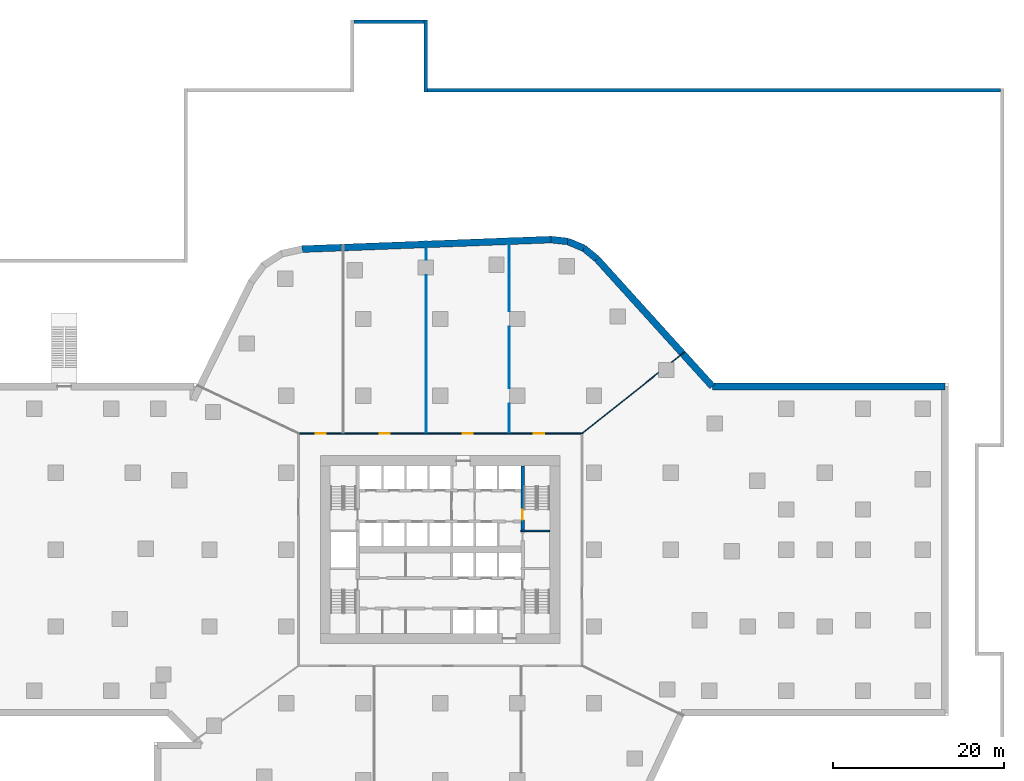
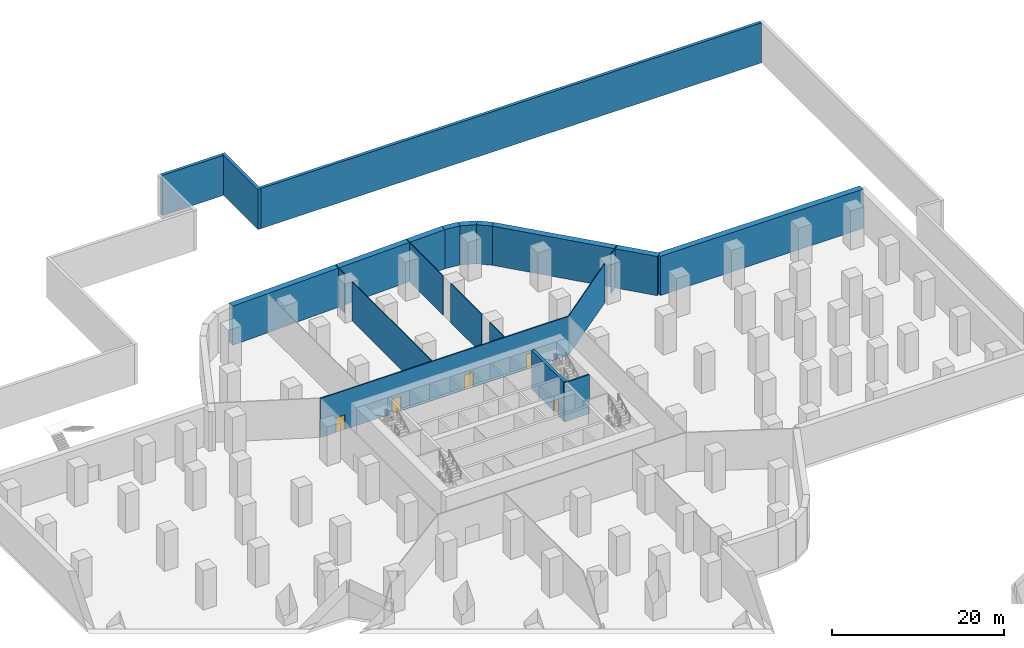
# One storey, part 8 of 11: 19 walls, 5 doors, 5 openings.
"""IFC4 building model written with IfcOpenShell, lengths in metres."""

from ifc_helpers import new_model, si_unit, direction, frame, frame_2d, origin, place, context, subcontext, project, spatial, polyline, rectangle, outline, extrude, material, layer, layer_set, type_object, element, fill, save


model = new_model("IFC4")

# Units and contexts
model_context = context("Model", 3, precision=1e-05, world=origin(), true_north=direction((0.0, 1.0)))
body_context = subcontext(model_context, "Body", "Model", "MODEL_VIEW")
ifc_project = project(units=[si_unit("LENGTHUNIT", "METRE"), si_unit("AREAUNIT", "SQUARE_METRE"), si_unit("VOLUMEUNIT", "CUBIC_METRE"), si_unit("PLANEANGLEUNIT", "RADIAN"), si_unit("MASSUNIT", "GRAM", prefix="KILO")], contexts=[model_context])

# Site, building, storey
site_placement = place(None, origin())
site = spatial("IfcSite", under=ifc_project, at=site_placement, CompositionType="ELEMENT")
building_placement = place(site_placement, origin())
building = spatial("IfcBuilding", under=site, at=building_placement, Name="Dongbaek Canopy Tower", CompositionType="ELEMENT")
storey_placement = place(building_placement, frame((0.0, 0.0, -6.0)))
storey = spatial("IfcBuildingStorey", under=building, at=storey_placement, Name="B1", CompositionType="ELEMENT", Elevation=-6.0)

# Wall, openings, doors
ifc_material_1 = material(Name="Gypsum board partition, steel stud, 2 x 15 mm fire board", Category="steel")
ifc_layer_1 = layer(ifc_material_1, 0.14990234375)
ifc_layer_set_1 = layer_set([ifc_layer_1], Name="Fire-rated partition 150 gypsum board")
wall_type_1 = type_object("IfcWallType", Name="Fire-rated partition 150 gypsum board", PredefinedType="PARTITIONING", material=ifc_layer_set_1)
wall_1_placement = place(storey_placement, frame((-16.675048828125, 13.60009765625, 0.0), z_axis=(0.0, 0.0, 1.0), x_axis=(1.0, 0.0, 0.0)))
wall_1 = element("IfcWall", 1, at=wall_1_placement, inside=storey, type_object=wall_type_1, Name="Corridor partition", PredefinedType="PARTITIONING", context=body_context, shape_type="SweptSolid", body=[
    extrude(rectangle(XDim=33.35009765625, YDim=0.14990234375, at=frame_2d((16.675048828125, 0.0))), origin(), (0.0, 0.0, 1.0), 5.550048828125),
])
opening_1_placement = place(wall_1_placement, frame((27.64208984375, 0.0, 0.0)))
opening_1 = element("IfcOpeningElement", 2, at=opening_1_placement, cuts=wall_1, Name="Opening B1-D006", PredefinedType="OPENING", context=body_context, shape_type="SweptSolid", body=[
    extrude(rectangle(XDim=1.199951171875, YDim=2.10009765625, at=frame_2d((0.60009765625, 1.050048828125))), frame((0.0, 0.0849609375, 0.0), z_axis=(0.0, -1.0, 0.0), x_axis=(1.0, 0.0, 0.0)), (0.0, 0.0, 1.0), 0.169921875),
])
opening_2_placement = place(wall_1_placement, frame((19.316650390625, 0.0, 0.0)))
opening_2 = element("IfcOpeningElement", 3, at=opening_2_placement, cuts=wall_1, Name="Opening B1-D007", PredefinedType="OPENING", context=body_context, shape_type="SweptSolid", body=[
    extrude(rectangle(XDim=1.199951171875, YDim=2.10009765625, at=frame_2d((0.60009765625, 1.050048828125))), frame((0.0, 0.0849609375, 0.0), z_axis=(0.0, -1.0, 0.0), x_axis=(1.0, 0.0, 0.0)), (0.0, 0.0, 1.0), 0.169921875),
])
opening_3_placement = place(wall_1_placement, frame((9.58740234375, 0.0, 0.0)))
opening_3 = element("IfcOpeningElement", 4, at=opening_3_placement, cuts=wall_1, Name="Opening B1-D008", PredefinedType="OPENING", context=body_context, shape_type="SweptSolid", body=[
    extrude(rectangle(XDim=1.199951171875, YDim=2.10009765625, at=frame_2d((0.60009765625, 1.050048828125))), frame((0.0, 0.0849609375, 0.0), z_axis=(0.0, -1.0, 0.0), x_axis=(1.0, 0.0, 0.0)), (0.0, 0.0, 1.0), 0.169921875),
])
opening_4_placement = place(wall_1_placement, frame((2.09912109375, 0.0, 0.0)))
opening_4 = element("IfcOpeningElement", 5, at=opening_4_placement, cuts=wall_1, Name="Opening B1-D009", PredefinedType="OPENING", context=body_context, shape_type="SweptSolid", body=[
    extrude(rectangle(XDim=1.199951171875, YDim=2.10009765625, at=frame_2d((0.60009765625, 1.050048828125))), frame((0.0, 0.0849609375, 0.0), z_axis=(0.0, -1.0, 0.0), x_axis=(1.0, 0.0, 0.0)), (0.0, 0.0, 1.0), 0.169921875),
])
ifc_material_2 = material(Name="Timber veneered door leaf", Category="wood")
door_type_1 = type_object("IfcDoorType", Name="Room door 1200 x 2100", OperationType="SINGLE_SWING_LEFT", PredefinedType="DOOR", material=ifc_material_2)
door_1_placement = place(opening_1_placement, origin())
door_1 = element("IfcDoor", 6, at=door_1_placement, inside=storey, type_object=door_type_1, Name="Door B1-D006", OperationType="SINGLE_SWING_LEFT", OverallHeight=2.10009765625, OverallWidth=1.199951171875, PredefinedType="DOOR", context=body_context, shape_type="SweptSolid", body=[
    extrude(rectangle(XDim=1.199951171875, YDim=2.10009765625, at=frame_2d((0.60009765625, 1.050048828125))), frame((0.0, 0.02490234375, 0.0), z_axis=(0.0, -1.0, 0.0), x_axis=(1.0, 0.0, 0.0)), (0.0, 0.0, 1.0), 0.050048828125),
])
fill(opening_1, door_1)
door_2_placement = place(opening_2_placement, origin())
door_2 = element("IfcDoor", 7, at=door_2_placement, inside=storey, type_object=door_type_1, Name="Door B1-D007", OperationType="SINGLE_SWING_RIGHT", OverallHeight=2.10009765625, OverallWidth=1.199951171875, PredefinedType="DOOR", context=body_context, shape_type="SweptSolid", body=[
    extrude(rectangle(XDim=1.199951171875, YDim=2.10009765625, at=frame_2d((0.60009765625, 1.050048828125))), frame((0.0, 0.02490234375, 0.0), z_axis=(0.0, -1.0, 0.0), x_axis=(1.0, 0.0, 0.0)), (0.0, 0.0, 1.0), 0.050048828125),
])
fill(opening_2, door_2)
door_3_placement = place(opening_3_placement, origin())
door_3 = element("IfcDoor", 8, at=door_3_placement, inside=storey, type_object=door_type_1, Name="Door B1-D008", OperationType="SINGLE_SWING_LEFT", OverallHeight=2.10009765625, OverallWidth=1.199951171875, PredefinedType="DOOR", context=body_context, shape_type="SweptSolid", body=[
    extrude(rectangle(XDim=1.199951171875, YDim=2.10009765625, at=frame_2d((0.60009765625, 1.050048828125))), frame((0.0, 0.02490234375, 0.0), z_axis=(0.0, -1.0, 0.0), x_axis=(1.0, 0.0, 0.0)), (0.0, 0.0, 1.0), 0.050048828125),
])
fill(opening_3, door_3)
door_4_placement = place(opening_4_placement, origin())
door_4 = element("IfcDoor", 9, at=door_4_placement, inside=storey, type_object=door_type_1, Name="Door B1-D009", OperationType="SINGLE_SWING_RIGHT", OverallHeight=2.10009765625, OverallWidth=1.199951171875, PredefinedType="DOOR", context=body_context, shape_type="SweptSolid", body=[
    extrude(rectangle(XDim=1.199951171875, YDim=2.10009765625, at=frame_2d((0.60009765625, 1.050048828125))), frame((0.0, 0.02490234375, 0.0), z_axis=(0.0, -1.0, 0.0), x_axis=(1.0, 0.0, 0.0)), (0.0, 0.0, 1.0), 0.050048828125),
])
fill(opening_4, door_4)

# Walls
ifc_material_3 = material(Name="Gypsum board partition, steel stud, 2 x 12.5 mm board", Category="steel")
ifc_layer_2 = layer(ifc_material_3, 0.10009765625)
ifc_layer_set_2 = layer_set([ifc_layer_2], Name="Partition 100 gypsum board")
wall_type_2 = type_object("IfcWallType", Name="Partition 100 gypsum board", PredefinedType="PARTITIONING", material=ifc_layer_set_2)
wall_2_placement = place(storey_placement, frame((16.600341796875, 13.599609375, 0.0), z_axis=(0.0, 0.0, 1.0), x_axis=(0.783150180029, 0.621832610531, 0.0)))
element("IfcWall", 10, at=wall_2_placement, inside=storey, type_object=wall_type_2, Name="Partition", PredefinedType="PARTITIONING", context=body_context, shape_type="SweptSolid", body=[
    extrude(rectangle(XDim=11.46875, YDim=0.10009765625, at=frame_2d((5.734375, 0.0))), origin(), (0.0, 0.0, 1.0), 5.550048828125),
])
wall_3_placement = place(storey_placement, frame((27.090576171875, 21.928955078125, 0.0), z_axis=(0.0, 0.0, 1.0), x_axis=(0.783148932994, 0.621834181073, 0.0)))
element("IfcWall", 11, at=wall_3_placement, inside=storey, type_object=wall_type_2, Name="Partition", PredefinedType="PARTITIONING", context=body_context, shape_type="SweptSolid", body=[
    extrude(rectangle(XDim=1.92822265625, YDim=0.10009765625, at=frame_2d((0.964111328125, 0.0))), origin(), (0.0, 0.0, 1.0), 5.550048828125),
])
wall_4_placement = place(storey_placement, frame((8.10595703125, 13.675048828125, 0.0), z_axis=(0.0, 0.0, 1.0), x_axis=(0.0, 1.0, 0.0)))
element("IfcWall", 12, at=wall_4_placement, inside=storey, type_object=wall_type_2, Name="Partition", PredefinedType="PARTITIONING", context=body_context, shape_type="SweptSolid", body=[
    extrude(rectangle(XDim=3.425048828125, YDim=0.10009765625, at=frame_2d((1.71240234375, 0.0))), origin(), (0.0, 0.0, 1.0), 5.550048828125),
])
wall_5_placement = place(storey_placement, frame((8.10595703125, 18.89990234375, 0.0), z_axis=(0.0, 0.0, 1.0), x_axis=(0.0, 1.0, 0.0)))
element("IfcWall", 13, at=wall_5_placement, inside=storey, type_object=wall_type_2, Name="Partition", PredefinedType="PARTITIONING", context=body_context, shape_type="SweptSolid", body=[
    extrude(rectangle(XDim=7.2001953125, YDim=0.10009765625, at=frame_2d((3.60009765625, 0.0))), origin(), (0.0, 0.0, 1.0), 5.550048828125),
])
wall_6_placement = place(storey_placement, frame((8.10595703125, 27.89990234375, 0.0), z_axis=(0.0, 0.0, 1.0), x_axis=(0.0, 1.0, 0.0)))
element("IfcWall", 14, at=wall_6_placement, inside=storey, type_object=wall_type_2, Name="Partition", PredefinedType="PARTITIONING", context=body_context, shape_type="SweptSolid", body=[
    extrude(rectangle(XDim=8.4892578125, YDim=0.10009765625, at=frame_2d((4.24462890625, 0.0))), origin(), (0.0, 0.0, 1.0), 5.550048828125),
])
wall_7_placement = place(storey_placement, frame((-1.623046875, 13.675048828125, 0.0), z_axis=(0.0, 0.0, 1.0), x_axis=(0.0, 1.0, 0.0)))
element("IfcWall", 15, at=wall_7_placement, inside=storey, type_object=wall_type_2, Name="Partition", PredefinedType="PARTITIONING", context=body_context, shape_type="SweptSolid", body=[
    extrude(rectangle(XDim=18.45703125, YDim=0.10009765625, at=frame_2d((9.228515625, 0.0))), origin(), (0.0, 0.0, 1.0), 5.550048828125),
])
wall_8_placement = place(storey_placement, frame((-1.623046875, 33.931884765625, 0.0), z_axis=(0.0, 0.0, 1.0), x_axis=(0.0, 1.0, 0.0)))
element("IfcWall", 16, at=wall_8_placement, inside=storey, type_object=wall_type_2, Name="Partition", PredefinedType="PARTITIONING", context=body_context, shape_type="SweptSolid", body=[
    extrude(rectangle(XDim=2.085205078125, YDim=0.10009765625, at=frame_2d((1.04248046875, 0.0))), origin(), (0.0, 0.0, 1.0), 5.550048828125),
])
ifc_material_4 = material(Name="Concrete C40/50", Category="concrete")
ifc_layer_3 = layer(ifc_material_4, 0.39990234375)
ifc_layer_set_3 = layer_set([ifc_layer_3], Name="Plaza plinth wall 400")
wall_type_3 = type_object("IfcWallType", Name="Plaza plinth wall 400", PredefinedType="SOLIDWALL", material=ifc_layer_set_3)
wall_9_placement = place(storey_placement, frame((-1.5, 53.800048828125, 0.0), z_axis=(0.0, 0.0, 1.0), x_axis=(1.0, 0.0, 0.0)))
element("IfcWall", 17, at=wall_9_placement, inside=storey, type_object=wall_type_3, Name="Plaza plinth wall 23", PredefinedType="SOLIDWALL", context=body_context, shape_type="SweptSolid", body=[
    extrude(rectangle(XDim=67.10009765625, YDim=0.39990234375, at=frame_2d((33.550048828125, 0.0))), origin(), (0.0, 0.0, 1.0), 5.699951171875),
])
wall_10_placement = place(storey_placement, frame((-1.699951171875, 53.60009765625, 0.0), z_axis=(0.0, 0.0, 1.0), x_axis=(0.0, 1.0, 0.0)))
element("IfcWall", 18, at=wall_10_placement, inside=storey, type_object=wall_type_3, Name="Plaza plinth wall 25", PredefinedType="SOLIDWALL", context=body_context, shape_type="SweptSolid", body=[
    extrude(rectangle(XDim=8.39990234375, YDim=0.39990234375, at=frame_2d((4.199951171875, 0.0))), origin(), (0.0, 0.0, 1.0), 5.699951171875),
])
wall_11_placement = place(storey_placement, frame((-10.10009765625, 61.800048828125, 0.0), z_axis=(0.0, 0.0, 1.0), x_axis=(1.0, 0.0, 0.0)))
element("IfcWall", 19, at=wall_11_placement, inside=storey, type_object=wall_type_3, Name="Plaza plinth wall 26", PredefinedType="SOLIDWALL", context=body_context, shape_type="SweptSolid", body=[
    extrude(rectangle(XDim=8.2001953125, YDim=0.39990234375, at=frame_2d((4.10009765625, 0.0))), origin(), (0.0, 0.0, 1.0), 5.699951171875),
])
ifc_material_5 = material(Name="Concrete C40", Category="concrete")
ifc_layer_4 = layer(ifc_material_5, 0.800048828125)
ifc_layer_set_4 = layer_set([ifc_layer_4], Name="RC RETAINING WALL 800 Concrete C40")
wall_type_4 = type_object("IfcWallType", Name="RC RETAINING WALL 800 Concrete C40", PredefinedType="SHEAR", material=ifc_layer_set_4)
wall_12_placement = place(storey_placement, frame((-16.165283203125, 35.180419921875, 0.0), z_axis=(0.0, 0.0, 1.0), x_axis=(0.999268826627, 0.038233651829, 0.0)))
element("IfcWall", 20, at=wall_12_placement, inside=storey, type_object=wall_type_4, Name="RWALL:B1:11", PredefinedType="SHEAR", context=body_context, shape_type="SweptSolid", body=[
    extrude(rectangle(XDim=29.143310546875, YDim=0.800048828125, at=frame_2d((14.57177734375, 0.0))), origin(), (0.0, 0.0, 1.0), 5.550048828125),
])
wall_13_placement = place(storey_placement, origin())
element("IfcWall", 21, at=wall_13_placement, inside=storey, type_object=wall_type_4, Name="RWALL:B1:12", PredefinedType="SHEAR", context=body_context, shape_type="SweptSolid", body=[
    extrude(outline(polyline([(14.9697265625, 36.480224609375), (12.999755859375, 36.6923828125), (12.956787109375, 36.294677734375), (12.97216796875, 35.89501953125), (12.943115234375, 35.893798828125), (14.884033203125, 35.684814453125), (14.9697265625, 36.480224609375)])), origin(), (0.0, 0.0, 1.0), 5.550048828125),
])
wall_14_placement = place(storey_placement, origin())
element("IfcWall", 22, at=wall_14_placement, inside=storey, type_object=wall_type_4, Name="RWALL:B1:13", PredefinedType="SHEAR", context=body_context, shape_type="SweptSolid", body=[
    extrude(outline(polyline([(16.983154296875, 35.651123046875), (15.08203125, 36.451171875), (14.927001953125, 36.08251953125), (14.884033203125, 35.684814453125), (14.825927734375, 35.69091796875), (16.6728515625, 34.913818359375), (16.983154296875, 35.651123046875)])), origin(), (0.0, 0.0, 1.0), 5.550048828125),
])
wall_15_placement = place(storey_placement, origin())
element("IfcWall", 23, at=wall_15_placement, inside=storey, type_object=wall_type_4, Name="RWALL:B1:14", PredefinedType="SHEAR", context=body_context, shape_type="SweptSolid", body=[
    extrude(outline(polyline([(18.611572265625, 34.330810546875), (17.08251953125, 35.591064453125), (16.827880859375, 35.282470703125), (16.6728515625, 34.913818359375), (16.618896484375, 34.9365234375), (18.080078125, 33.73193359375), (18.060546875, 33.753662109375), (18.357177734375, 34.022216796875), (18.611572265625, 34.330810546875)])), origin(), (0.0, 0.0, 1.0), 5.550048828125),
])
wall_16_placement = place(storey_placement, frame((18.357177734375, 34.022216796875, 0.0), z_axis=(0.0, 0.0, 1.0), x_axis=(0.671253662178, -0.741227711983, 0.0)))
element("IfcWall", 24, at=wall_16_placement, inside=storey, type_object=wall_type_4, Name="RWALL:B1:15", PredefinedType="SHEAR", context=body_context, shape_type="SweptSolid", body=[
    extrude(rectangle(XDim=20.131591796875, YDim=0.800048828125, at=frame_2d((10.06591796875, 0.0))), origin(), (0.0, 0.0, 1.0), 5.550048828125),
])
wall_17_placement = place(storey_placement, frame((31.87060546875, 19.10009765625, 0.0), z_axis=(0.0, 0.0, 1.0), x_axis=(1.0, 0.0, 0.0)))
element("IfcWall", 25, at=wall_17_placement, inside=storey, type_object=wall_type_4, Name="RWALL:B1:16", PredefinedType="SHEAR", context=body_context, shape_type="SweptSolid", body=[
    extrude(rectangle(XDim=27.2294921875, YDim=0.800048828125, at=frame_2d((13.61474609375, 0.0))), origin(), (0.0, 0.0, 1.0), 5.550048828125),
])
ifc_material_6 = material(Name="Concrete C60/75", Category="concrete")
ifc_layer_5 = layer(ifc_material_6, 0.199951171875)
ifc_layer_set_5 = layer_set([ifc_layer_5], Name="Riser wall 200 Concrete C60/75")
wall_type_5 = type_object("IfcWallType", Name="Riser wall 200 Concrete C60/75", PredefinedType="SHEAR", material=ifc_layer_set_5)
wall_18_placement = place(storey_placement, frame((9.449951171875, 2.199951171875, 0.0), z_axis=(0.0, 0.0, 1.0), x_axis=(1.0, 0.0, 0.0)))
element("IfcWall", 26, at=wall_18_placement, inside=storey, type_object=wall_type_5, Name="Riser wall", PredefinedType="SHEAR", context=body_context, shape_type="SweptSolid", body=[
    extrude(rectangle(XDim=3.35009765625, YDim=0.199951171875, at=frame_2d((1.675048828125, 0.0))), origin(), (0.0, 0.0, 1.0), 5.550048828125),
])

# Wall, opening, door
ifc_material_7 = material(Name="Concrete C60/75", Category="concrete")
ifc_layer_6 = layer(ifc_material_7, 0.39990234375)
ifc_layer_set_6 = layer_set([ifc_layer_6], Name="Stair wall 400 Concrete C60/75")
wall_type_6 = type_object("IfcWallType", Name="Stair wall 400 Concrete C60/75", PredefinedType="SHEAR", material=ifc_layer_set_6)
wall_19_placement = place(storey_placement, frame((9.64990234375, 9.800048828125, 0.0), z_axis=(0.0, 0.0, 1.0), x_axis=(0.0, -1.0, 0.0)))
wall_19 = element("IfcWall", 27, at=wall_19_placement, inside=storey, type_object=wall_type_6, Name="Stair wall", PredefinedType="SHEAR", context=body_context, shape_type="SweptSolid", body=[
    extrude(rectangle(XDim=7.5, YDim=0.39990234375, at=frame_2d((3.75, 0.0))), origin(), (0.0, 0.0, 1.0), 5.550048828125),
])
opening_5_placement = place(wall_19_placement, frame((5.10009765625, 0.0, 0.0)))
opening_5 = element("IfcOpeningElement", 28, at=opening_5_placement, cuts=wall_19, Name="Opening B1-D038", PredefinedType="OPENING", context=body_context, shape_type="SweptSolid", body=[
    extrude(rectangle(XDim=1.199951171875, YDim=2.10009765625, at=frame_2d((0.60009765625, 1.050048828125))), frame((0.0, 0.2099609375, 0.0), z_axis=(0.0, -1.0, 0.0), x_axis=(1.0, 0.0, 0.0)), (0.0, 0.0, 1.0), 0.419921875),
])
ifc_material_8 = material(Name="Steel", Category="steel")
door_type_2 = type_object("IfcDoorType", Name="Stair door 1200 x 2100", OperationType="SINGLE_SWING_LEFT", PredefinedType="DOOR", material=ifc_material_8)
door_5_placement = place(opening_5_placement, origin())
door_5 = element("IfcDoor", 29, at=door_5_placement, inside=storey, type_object=door_type_2, Name="Stair A door", OperationType="SINGLE_SWING_LEFT", OverallHeight=2.10009765625, OverallWidth=1.199951171875, PredefinedType="DOOR", context=body_context, shape_type="SweptSolid", body=[
    extrude(rectangle(XDim=1.199951171875, YDim=2.10009765625, at=frame_2d((0.60009765625, 1.050048828125))), frame((0.0, 0.02490234375, 0.0), z_axis=(0.0, -1.0, 0.0), x_axis=(1.0, 0.0, 0.0)), (0.0, 0.0, 1.0), 0.050048828125),
])
fill(opening_5, door_5)

save(model, "model.ifc")
